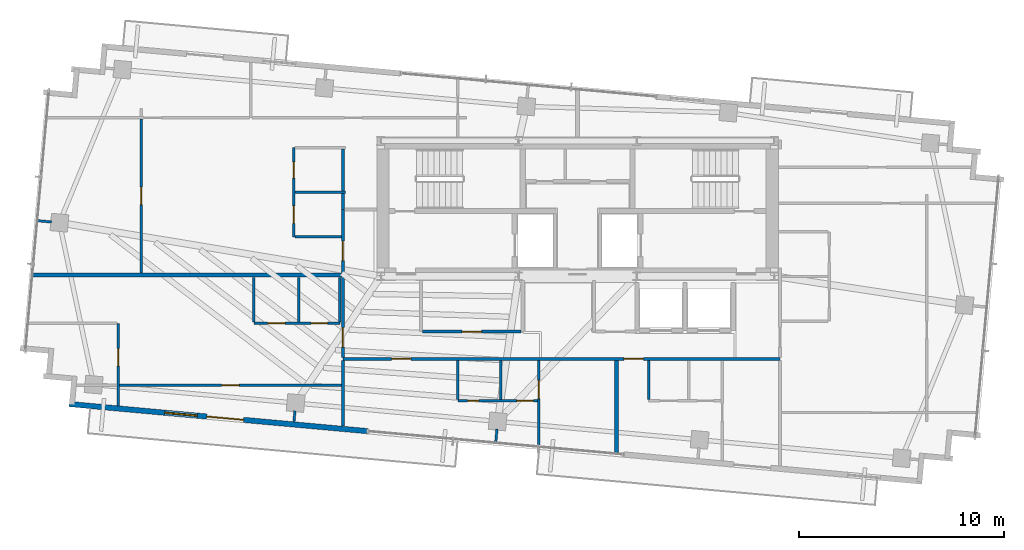
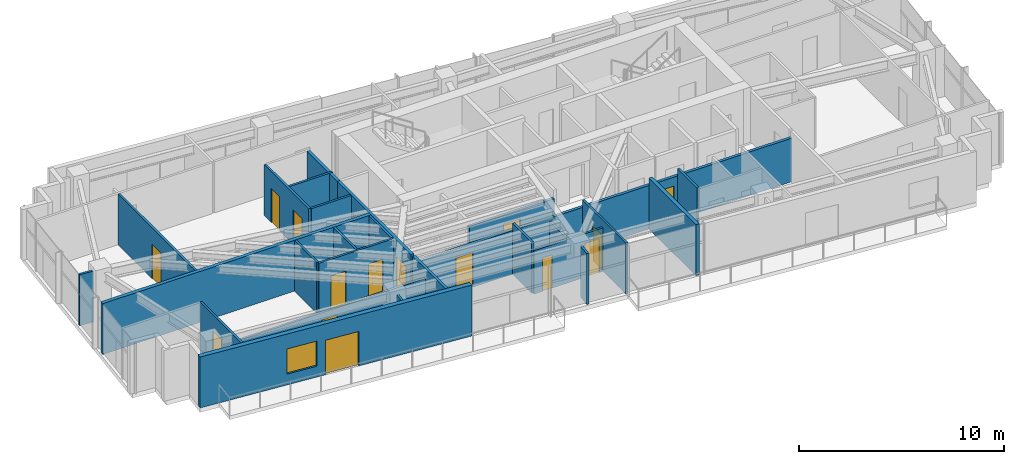
# One storey, part 16 of 22: 27 walls, 16 doors, 1 window, 17 openings.
"""IFC4 building model written with IfcOpenShell, lengths in metres."""

from ifc_helpers import new_model, si_unit, direction, frame, frame_2d, origin, place, context, subcontext, project, spatial, rectangle, extrude, source, transform, mapped, material, layer, layer_set, type_object, type_shapes, element, fill, save


model = new_model("IFC4")

# Units and contexts
model_context = context("Model", 3, precision=1e-05, world=origin(), true_north=direction((0.0, 1.0)))
body_context = subcontext(model_context, "Body", "Model", "MODEL_VIEW")
ifc_project = project(units=[si_unit("LENGTHUNIT", "METRE"), si_unit("AREAUNIT", "SQUARE_METRE"), si_unit("VOLUMEUNIT", "CUBIC_METRE"), si_unit("PLANEANGLEUNIT", "RADIAN"), si_unit("MASSUNIT", "GRAM", prefix="KILO")], contexts=[model_context])

# Site, building, storey
site_placement = place(None, origin())
site = spatial("IfcSite", under=ifc_project, at=site_placement, CompositionType="ELEMENT")
building_placement = place(site_placement, origin())
building = spatial("IfcBuilding", under=site, at=building_placement, Name="Astriad Promenade Condominiums", CompositionType="ELEMENT")
storey_placement = place(building_placement, frame((0.0, 0.0, 223.199951171875)))
storey = spatial("IfcBuildingStorey", under=building, at=storey_placement, Name="L64", CompositionType="ELEMENT", Elevation=223.199951171875)

# Wall, openings, doors
ifc_material_1 = material(Name="Fire-Rated Gypsum Partition")
ifc_layer_1 = layer(ifc_material_1, 0.159912109375)
ifc_layer_set_1 = layer_set([ifc_layer_1], Name="Fire-Rated Gypsum Partition")
wall_type_1 = type_object("IfcWallType", Name="WALL-CORR-160", PredefinedType="PARTITIONING", material=ifc_layer_set_1)
wall_1_placement = place(storey_placement, frame((24.550048828125, 13.360107421875, 0.0), z_axis=(0.0, 0.0, 1.0), x_axis=(1.0, 0.0, 0.0)))
wall_1 = element("IfcWall", 1, at=wall_1_placement, inside=storey, type_object=wall_type_1, Name="PT-COR-S-L64", PredefinedType="PARTITIONING", context=body_context, shape_type="SweptSolid", body=[
    extrude(rectangle(XDim=21.329833984375, YDim=0.159912109375, at=frame_2d((10.6650390625, 0.0))), origin(), (0.0, 0.0, 1.0), 2.596435546875),
])
opening_1_placement = place(wall_1_placement, frame((2.3701171875, 0.0, 0.0)))
opening_1 = element("IfcOpeningElement", 2, at=opening_1_placement, cuts=wall_1, Name="Opening FD60-APT-095", PredefinedType="OPENING", context=body_context, shape_type="SweptSolid", body=[
    extrude(rectangle(XDim=0.949951171875, YDim=2.06005859375, at=frame_2d((0.47509765625, 1.030029296875))), frame((0.0, 0.08984375, 0.0), z_axis=(0.0, -1.0, 0.0), x_axis=(1.0, 0.0, 0.0)), (0.0, 0.0, 1.0), 0.179931640625),
])
opening_2_placement = place(wall_1_placement, frame((13.70703125, 0.0, 0.0)))
opening_2 = element("IfcOpeningElement", 3, at=opening_2_placement, cuts=wall_1, Name="Opening FD60-APT-095", PredefinedType="OPENING", context=body_context, shape_type="SweptSolid", body=[
    extrude(rectangle(XDim=0.949951171875, YDim=2.06005859375, at=frame_2d((0.47509765625, 1.030029296875))), frame((0.0, 0.08984375, 0.0), z_axis=(0.0, -1.0, 0.0), x_axis=(1.0, 0.0, 0.0)), (0.0, 0.0, 1.0), 0.179931640625),
])
ifc_material_2 = material(Name="Solid-Core Acoustic Timber Residence Entry Door", Category="wood")
door_type_1 = type_object("IfcDoorType", Name="FD60-APT-095", OperationType="NOTDEFINED", PredefinedType="DOOR", material=ifc_material_2)
shared_shape_1 = source(origin(), body_context, "Body", "SweptSolid", [
    extrude(rectangle(XDim=0.949951171875, YDim=2.06005859375, at=frame_2d((0.47509765625, 1.030029296875))), frame((0.0, 0.02490234375, 0.0), z_axis=(0.0, -1.0, 0.0), x_axis=(1.0, 0.0, 0.0)), (0.0, 0.0, 1.0), 0.050048828125),
])
type_shapes(door_type_1, [shared_shape_1])
door_1_placement = place(opening_1_placement, origin())
door_1 = element("IfcDoor", 4, at=door_1_placement, inside=storey, type_object=door_type_1, Name="D-ENT-L64-S1", OperationType="SINGLE_SWING_RIGHT", OverallHeight=2.06005859375, OverallWidth=0.949951171875, PredefinedType="DOOR", context=body_context, shape_type="MappedRepresentation", body=[
    mapped(shared_shape_1, transform((0.0, 0.0, 0.0), scale=1.0)),
])
fill(opening_1, door_1)
door_2_placement = place(opening_2_placement, origin())
door_2 = element("IfcDoor", 5, at=door_2_placement, inside=storey, type_object=door_type_1, Name="D-ENT-L64-S2", OperationType="SINGLE_SWING_RIGHT", OverallHeight=2.06005859375, OverallWidth=0.949951171875, PredefinedType="DOOR", context=body_context, shape_type="MappedRepresentation", body=[
    mapped(shared_shape_1, transform((0.0, 0.0, 0.0), scale=1.0)),
])
fill(opening_2, door_2)

# Wall
wall_2_placement = place(storey_placement, frame((24.550048828125, 10.0771484375, 0.0), z_axis=(0.0, 0.0, 1.0), x_axis=(0.0, 1.0, 0.0)))
element("IfcWall", 6, at=wall_2_placement, inside=storey, type_object=wall_type_1, Name="PT-COR-W-L64", PredefinedType="PARTITIONING", context=body_context, shape_type="SweptSolid", body=[
    extrude(rectangle(XDim=3.200927734375, YDim=0.159912109375, at=frame_2d((1.6005859375, 0.0))), origin(), (0.0, 0.0, 1.0), 3.0400390625),
])

# Wall, openings, doors
wall_3_placement = place(storey_placement, frame((24.550048828125, 13.44189453125, 0.0), z_axis=(0.0, 0.0, 1.0), x_axis=(0.0, 1.0, 0.0)))
wall_3 = element("IfcWall", 7, at=wall_3_placement, inside=storey, type_object=wall_type_1, Name="PT-COR-W-L64-S2", PredefinedType="PARTITIONING", context=body_context, shape_type="SweptSolid", body=[
    extrude(rectangle(XDim=7.2080078125, YDim=0.159912109375, at=frame_2d((3.60400390625, 0.0))), origin(), (0.0, 0.0, 1.0), 3.0400390625),
])
opening_3_placement = place(wall_3_placement, frame((0.492919921875, 0.0, 0.0)))
opening_3 = element("IfcOpeningElement", 8, at=opening_3_placement, cuts=wall_3, Name="Opening FD60-APT-095", PredefinedType="OPENING", context=body_context, shape_type="SweptSolid", body=[
    extrude(rectangle(XDim=0.949951171875, YDim=2.06005859375, at=frame_2d((0.47509765625, 1.030029296875))), frame((0.0, 0.08984375, 0.0), z_axis=(0.0, -1.0, 0.0), x_axis=(1.0, 0.0, 0.0)), (0.0, 0.0, 1.0), 0.179931640625),
])
opening_4_placement = place(wall_3_placement, frame((4.720947265625, 0.0, 0.0)))
opening_4 = element("IfcOpeningElement", 9, at=opening_4_placement, cuts=wall_3, Name="Opening FD60-APT-095", PredefinedType="OPENING", context=body_context, shape_type="SweptSolid", body=[
    extrude(rectangle(XDim=0.949951171875, YDim=2.06005859375, at=frame_2d((0.47509765625, 1.030029296875))), frame((0.0, 0.08984375, 0.0), z_axis=(0.0, -1.0, 0.0), x_axis=(1.0, 0.0, 0.0)), (0.0, 0.0, 1.0), 0.179931640625),
])
door_3_placement = place(opening_3_placement, origin())
door_3 = element("IfcDoor", 10, at=door_3_placement, inside=storey, type_object=door_type_1, Name="D-ENT-L64-W1", OperationType="SINGLE_SWING_RIGHT", OverallHeight=2.06005859375, OverallWidth=0.949951171875, PredefinedType="DOOR", context=body_context, shape_type="MappedRepresentation", body=[
    mapped(shared_shape_1, transform((0.0, 0.0, 0.0), scale=1.0)),
])
fill(opening_3, door_3)
door_4_placement = place(opening_4_placement, origin())
door_4 = element("IfcDoor", 11, at=door_4_placement, inside=storey, type_object=door_type_1, Name="D-ENT-L64-W2", OperationType="SINGLE_SWING_LEFT", OverallHeight=2.06005859375, OverallWidth=0.949951171875, PredefinedType="DOOR", context=body_context, shape_type="MappedRepresentation", body=[
    mapped(shared_shape_1, transform((0.0, 0.0, 0.0), scale=1.0)),
])
fill(opening_4, door_4)

# Walls
wall_4_placement = place(storey_placement, frame((24.550048828125, 20.64990234375, 0.0), z_axis=(0.0, 0.0, 1.0), x_axis=(0.0, 1.0, 0.0)))
element("IfcWall", 12, at=wall_4_placement, inside=storey, type_object=wall_type_1, Name="PT-L64-W2-PBK", PredefinedType="PARTITIONING", context=body_context, shape_type="SweptSolid", body=[
    extrude(rectangle(XDim=0.783203125, YDim=0.159912109375, at=frame_2d((0.3916015625, 0.0))), origin(), (0.0, 0.0, 1.0), 3.0400390625),
])
wall_5_placement = place(storey_placement, frame((24.550048828125, 21.556884765625, 0.0), z_axis=(0.0, 0.0, 1.0), x_axis=(0.0, 1.0, 0.0)))
element("IfcWall", 13, at=wall_5_placement, inside=storey, type_object=wall_type_1, Name="PT-L64-W2-PBK-S2", PredefinedType="PARTITIONING", context=body_context, shape_type="SweptSolid", body=[
    extrude(rectangle(XDim=2.051025390625, YDim=0.159912109375, at=frame_2d((1.025390625, 0.0))), origin(), (0.0, 0.0, 1.0), 3.0400390625),
])

# Wall, opening, door
wall_6_placement = place(storey_placement, frame((28.44189453125, 14.699951171875, 0.0), z_axis=(0.0, 0.0, 1.0), x_axis=(1.0, 0.0, 0.0)))
wall_6 = element("IfcWall", 14, at=wall_6_placement, inside=storey, type_object=wall_type_1, Name="PT-Z3REC-S-L64", PredefinedType="PARTITIONING", context=body_context, shape_type="SweptSolid", body=[
    extrude(rectangle(XDim=4.796142578125, YDim=0.159912109375, at=frame_2d((2.39794921875, 0.0))), origin(), (0.0, 0.0, 1.0), 2.596435546875),
])
opening_5_placement = place(wall_6_placement, frame((1.923095703125, 0.0, 0.0)))
opening_5 = element("IfcOpeningElement", 15, at=opening_5_placement, cuts=wall_6, Name="Opening FD60-APT-095", PredefinedType="OPENING", context=body_context, shape_type="SweptSolid", body=[
    extrude(rectangle(XDim=0.949951171875, YDim=2.06005859375, at=frame_2d((0.47509765625, 1.030029296875))), frame((0.0, 0.08984375, 0.0), z_axis=(0.0, -1.0, 0.0), x_axis=(1.0, 0.0, 0.0)), (0.0, 0.0, 1.0), 0.179931640625),
])
door_5_placement = place(opening_5_placement, origin())
door_5 = element("IfcDoor", 16, at=door_5_placement, inside=storey, type_object=door_type_1, Name="D-Z3R-L64", OperationType="SINGLE_SWING_LEFT", OverallHeight=2.06005859375, OverallWidth=0.949951171875, PredefinedType="DOOR", context=body_context, shape_type="MappedRepresentation", body=[
    mapped(shared_shape_1, transform((0.0, 0.0, 0.0), scale=1.0)),
])
fill(opening_5, door_5)

# Walls
ifc_material_3 = material(Name="Acoustic Double-Stud Gypsum Partition")
ifc_layer_2 = layer(ifc_material_3, 0.199951171875)
ifc_layer_set_2 = layer_set([ifc_layer_2], Name="Acoustic Double-Stud Gypsum Partition")
wall_type_2 = type_object("IfcWallType", Name="WALL-DEMISING-200", PredefinedType="PARTITIONING", material=ifc_layer_set_2)
wall_7_placement = place(storey_placement, frame((37.89501953125, 8.6796875, 0.0), z_axis=(0.0, 0.0, 1.0), x_axis=(0.0, 1.0, 0.0)))
element("IfcWall", 17, at=wall_7_placement, inside=storey, type_object=wall_type_2, Name="PT-DEM-S1-L64", PredefinedType="PARTITIONING", context=body_context, shape_type="SweptSolid", body=[
    extrude(rectangle(XDim=4.598388671875, YDim=0.199951171875, at=frame_2d((2.29931640625, 0.0))), origin(), (0.0, 0.0, 1.0), 3.0400390625),
])
wall_8_placement = place(storey_placement, frame((9.33349609375, 17.449951171875, 0.0), z_axis=(0.0, 0.0, 1.0), x_axis=(1.0, 0.0, 0.0)))
element("IfcWall", 18, at=wall_8_placement, inside=storey, type_object=wall_type_2, Name="PT-DEM-WW-L64", PredefinedType="PARTITIONING", context=body_context, shape_type="SweptSolid", body=[
    extrude(rectangle(XDim=15.134521484375, YDim=0.199951171875, at=frame_2d((7.5673828125, 0.0))), origin(), (0.0, 0.0, 1.0), 3.0400390625),
])

# Wall, openings, door, window
ifc_material_4 = material(Name="Precast concrete C50/60", Category="concrete")
ifc_layer_3 = layer(ifc_material_4, 0.260009765625)
ifc_layer_set_3 = layer_set([ifc_layer_3], Name="Precast concrete C50/60")
wall_type_3 = type_object("IfcWallType", Name="WALL-EXT-TWR-260", PredefinedType="STANDARD", material=ifc_layer_set_3)
wall_9_placement = place(storey_placement, frame((25.760986328125, 9.83447265625, 0.0), z_axis=(0.0, 0.0, 1.0), x_axis=(-0.995884584572, 0.090630536861, 0.0)))
wall_9 = element("IfcWall", 19, at=wall_9_placement, inside=storey, type_object=wall_type_3, Name="W-EXT-L64-S2", PredefinedType="STANDARD", context=body_context, shape_type="SweptSolid", body=[
    extrude(rectangle(XDim=14.630126953125, YDim=0.260009765625, at=frame_2d((7.31494140625, 0.0))), origin(), (0.0, 0.0, 1.0), 3.0400390625),
])
opening_6_placement = place(wall_9_placement, frame((6.090087890625, 0.0, 0.0)))
opening_6 = element("IfcOpeningElement", 20, at=opening_6_placement, cuts=wall_9, Name="Opening BD-1822-SLD", PredefinedType="OPENING", context=body_context, shape_type="SweptSolid", body=[
    extrude(rectangle(XDim=1.800048828125, YDim=2.06005859375, at=frame_2d((0.89990234375, 1.030029296875))), frame((0.0, 0.139892578125, 0.0), z_axis=(0.0, -1.0, 0.0), x_axis=(1.0, 0.0, 0.0)), (0.0, 0.0, 1.0), 0.280029296875),
])
opening_7_placement = place(wall_9_placement, frame((8.35009765625, 0.0, 0.64990234375)))
opening_7 = element("IfcOpeningElement", 21, at=opening_7_placement, cuts=wall_9, Name="Opening WIN-TWR-1620", PredefinedType="OPENING", context=body_context, shape_type="SweptSolid", body=[
    extrude(rectangle(XDim=1.60009765625, YDim=1.5, at=frame_2d((0.800048828125, 0.75))), frame((0.0, 0.139892578125, 0.0), z_axis=(0.0, -1.0, 0.0), x_axis=(1.0, 0.0, 0.0)), (0.0, 0.0, 1.0), 0.280029296875),
])
ifc_material_5 = material(Name="Thermally Broken Aluminium Sliding Balcony Door", Category="aluminium")
door_type_2 = type_object("IfcDoorType", Name="BD-1822-SLD", OperationType="NOTDEFINED", PredefinedType="DOOR", material=ifc_material_5)
shared_shape_2 = source(origin(), body_context, "Body", "SweptSolid", [
    extrude(rectangle(XDim=1.800048828125, YDim=2.06005859375, at=frame_2d((0.89990234375, 1.030029296875))), frame((0.0, 0.02490234375, 0.0), z_axis=(0.0, -1.0, 0.0), x_axis=(1.0, 0.0, 0.0)), (0.0, 0.0, 1.0), 0.050048828125),
])
type_shapes(door_type_2, [shared_shape_2])
door_6_placement = place(opening_6_placement, origin())
door_6 = element("IfcDoor", 22, at=door_6_placement, inside=storey, type_object=door_type_2, Name="BD-L64-SW", OperationType="SLIDING_TO_LEFT", OverallHeight=2.06005859375, OverallWidth=1.800048828125, PredefinedType="DOOR", context=body_context, shape_type="MappedRepresentation", body=[
    mapped(shared_shape_2, transform((0.0, 0.0, 0.0), scale=1.0)),
])
fill(opening_6, door_6)
ifc_material_6 = material(Name="Dark Tinted Triple-Glazed Aluminium Window", Category="aluminium")
window_type = type_object("IfcWindowType", Name="WIN-TWR-1620", PartitioningType="SINGLE_PANEL", PredefinedType="WINDOW", material=ifc_material_6)
shared_shape_3 = source(origin(), body_context, "Body", "SweptSolid", [
    extrude(rectangle(XDim=1.60009765625, YDim=1.5, at=frame_2d((0.800048828125, 0.75))), frame((0.0, 0.030029296875, 0.0), z_axis=(0.0, -1.0, 0.0), x_axis=(1.0, 0.0, 0.0)), (0.0, 0.0, 1.0), 0.06005859375),
])
type_shapes(window_type, [shared_shape_3])
window_placement = place(opening_7_placement, origin())
window = element("IfcWindow", 23, at=window_placement, inside=storey, type_object=window_type, Name="WIN-L64-SW", OverallHeight=1.5, OverallWidth=1.60009765625, PartitioningType="SINGLE_PANEL", PredefinedType="WINDOW", context=body_context, shape_type="MappedRepresentation", body=[
    mapped(shared_shape_3, transform((0.0, 0.0, 0.0), scale=1.0)),
])
fill(opening_7, window)

# Wall, opening, door
ifc_material_7 = material(Name="Acoustic Metal-Stud Gypsum Partition")
ifc_layer_4 = layer(ifc_material_7, 0.1201171875)
ifc_layer_set_4 = layer_set([ifc_layer_4], Name="Acoustic Metal-Stud Gypsum Partition")
wall_type_4 = type_object("IfcWallType", Name="WALL-PART-120", PredefinedType="PARTITIONING", material=ifc_layer_set_4)
wall_10_placement = place(storey_placement, frame((34.10888671875, 9.0244140625, 0.0), z_axis=(0.0, 0.0, 1.0), x_axis=(0.0, 1.0, 0.0)))
wall_10 = element("IfcWall", 24, at=wall_10_placement, inside=storey, type_object=wall_type_4, Name="PT-L64-S1-BD1", PredefinedType="PARTITIONING", context=body_context, shape_type="SweptSolid", body=[
    extrude(rectangle(XDim=4.253662109375, YDim=0.1201171875, at=frame_2d((2.126953125, 0.0))), origin(), (0.0, 0.0, 1.0), 3.0400390625),
])
opening_8_placement = place(wall_10_placement, frame((2.39453125, 0.0, 0.0)))
opening_8 = element("IfcOpeningElement", 25, at=opening_8_placement, cuts=wall_10, Name="Opening D-INT-090", PredefinedType="OPENING", context=body_context, shape_type="SweptSolid", body=[
    extrude(rectangle(XDim=0.89990234375, YDim=2.050048828125, at=frame_2d((0.449951171875, 1.02490234375))), frame((0.0, 0.070068359375, 0.0), z_axis=(0.0, -1.0, 0.0), x_axis=(1.0, 0.0, 0.0)), (0.0, 0.0, 1.0), 0.14013671875),
])
ifc_material_8 = material(Name="Painted Solid-Core Timber Bedroom Door", Category="wood")
door_type_3 = type_object("IfcDoorType", Name="D-INT-090", OperationType="NOTDEFINED", PredefinedType="DOOR", material=ifc_material_8)
shared_shape_4 = source(origin(), body_context, "Body", "SweptSolid", [
    extrude(rectangle(XDim=0.89990234375, YDim=2.050048828125, at=frame_2d((0.449951171875, 1.02490234375))), frame((0.0, 0.02490234375, 0.0), z_axis=(0.0, -1.0, 0.0), x_axis=(1.0, 0.0, 0.0)), (0.0, 0.0, 1.0), 0.050048828125),
])
type_shapes(door_type_3, [shared_shape_4])
door_7_placement = place(opening_8_placement, origin())
door_7 = element("IfcDoor", 26, at=door_7_placement, inside=storey, type_object=door_type_3, Name="D-BD1-L64-S1", OperationType="SINGLE_SWING_LEFT", OverallHeight=2.050048828125, OverallWidth=0.89990234375, PredefinedType="DOOR", context=body_context, shape_type="MappedRepresentation", body=[
    mapped(shared_shape_4, transform((0.0, 0.0, 0.0), scale=1.0)),
])
fill(opening_8, door_7)

# Wall, openings, doors
wall_11_placement = place(storey_placement, frame((30.158935546875, 11.3310546875, 0.0), z_axis=(0.0, 0.0, 1.0), x_axis=(1.0, 0.0, 0.0)))
wall_11 = element("IfcWall", 27, at=wall_11_placement, inside=storey, type_object=wall_type_4, Name="PT-L64-S1-PS", PredefinedType="PARTITIONING", context=body_context, shape_type="SweptSolid", body=[
    extrude(rectangle(XDim=3.88818359375, YDim=0.1201171875, at=frame_2d((1.944091796875, 0.0))), origin(), (0.0, 0.0, 1.0), 2.596435546875),
])
opening_9_placement = place(wall_11_placement, frame((0.47509765625, 0.0, 0.0)))
opening_9 = element("IfcOpeningElement", 28, at=opening_9_placement, cuts=wall_11, Name="Opening D-AC-055", PredefinedType="OPENING", context=body_context, shape_type="SweptSolid", body=[
    extrude(rectangle(XDim=0.550048828125, YDim=2.0, at=frame_2d((0.27490234375, 1.0))), frame((0.0, 0.070068359375, 0.0), z_axis=(0.0, -1.0, 0.0), x_axis=(1.0, 0.0, 0.0)), (0.0, 0.0, 1.0), 0.14013671875),
])
opening_10_placement = place(wall_11_placement, frame((2.885009765625, 0.0, 0.0)))
opening_10 = element("IfcOpeningElement", 29, at=opening_10_placement, cuts=wall_11, Name="Opening D-WET-080", PredefinedType="OPENING", context=body_context, shape_type="SweptSolid", body=[
    extrude(rectangle(XDim=0.800048828125, YDim=2.02001953125, at=frame_2d((0.39990234375, 1.010009765625))), frame((0.0, 0.070068359375, 0.0), z_axis=(0.0, -1.0, 0.0), x_axis=(1.0, 0.0, 0.0)), (0.0, 0.0, 1.0), 0.14013671875),
])
ifc_material_9 = material(Name="Moisture-Resistant Timber Bathroom Door", Category="wood")
door_type_4 = type_object("IfcDoorType", Name="D-WET-080", OperationType="NOTDEFINED", PredefinedType="DOOR", material=ifc_material_9)
shared_shape_5 = source(origin(), body_context, "Body", "SweptSolid", [
    extrude(rectangle(XDim=0.800048828125, YDim=2.02001953125, at=frame_2d((0.39990234375, 1.010009765625))), frame((0.0, 0.02490234375, 0.0), z_axis=(0.0, -1.0, 0.0), x_axis=(1.0, 0.0, 0.0)), (0.0, 0.0, 1.0), 0.050048828125),
])
type_shapes(door_type_4, [shared_shape_5])
door_8_placement = place(opening_10_placement, origin())
door_8 = element("IfcDoor", 30, at=door_8_placement, inside=storey, type_object=door_type_4, Name="D-BTH-L64-S1", OperationType="SINGLE_SWING_LEFT", OverallHeight=2.02001953125, OverallWidth=0.800048828125, PredefinedType="DOOR", context=body_context, shape_type="MappedRepresentation", body=[
    mapped(shared_shape_5, transform((0.0, 0.0, 0.0), scale=1.0)),
])
fill(opening_10, door_8)
ifc_material_10 = material(Name="Painted Timber Access Door", Category="wood")
door_type_5 = type_object("IfcDoorType", Name="D-AC-055", OperationType="NOTDEFINED", PredefinedType="DOOR", material=ifc_material_10)
shared_shape_6 = source(origin(), body_context, "Body", "SweptSolid", [
    extrude(rectangle(XDim=0.550048828125, YDim=2.0, at=frame_2d((0.27490234375, 1.0))), frame((0.0, 0.02490234375, 0.0), z_axis=(0.0, -1.0, 0.0), x_axis=(1.0, 0.0, 0.0)), (0.0, 0.0, 1.0), 0.050048828125),
])
type_shapes(door_type_5, [shared_shape_6])
door_9_placement = place(opening_9_placement, origin())
door_9 = element("IfcDoor", 31, at=door_9_placement, inside=storey, type_object=door_type_5, Name="D-KIT-L64-S1", OperationType="SINGLE_SWING_RIGHT", OverallHeight=2.0, OverallWidth=0.550048828125, PredefinedType="DOOR", context=body_context, shape_type="MappedRepresentation", body=[
    mapped(shared_shape_6, transform((0.0, 0.0, 0.0), scale=1.0)),
])
fill(opening_9, door_9)

# Walls
wall_12_placement = place(storey_placement, frame((32.259033203125, 11.39306640625, 0.0), z_axis=(0.0, 0.0, 1.0), x_axis=(0.0, 1.0, 0.0)))
element("IfcWall", 32, at=wall_12_placement, inside=storey, type_object=wall_type_4, Name="PT-L64-S1-PBK", PredefinedType="PARTITIONING", context=body_context, shape_type="SweptSolid", body=[
    extrude(rectangle(XDim=1.885009765625, YDim=0.1201171875, at=frame_2d((0.9423828125, 0.0))), origin(), (0.0, 0.0, 1.0), 2.400146484375),
])
wall_13_placement = place(storey_placement, frame((30.158935546875, 11.39306640625, 0.0), z_axis=(0.0, 0.0, 1.0), x_axis=(0.0, 1.0, 0.0)))
element("IfcWall", 33, at=wall_13_placement, inside=storey, type_object=wall_type_4, Name="PT-L64-S1-PKW", PredefinedType="PARTITIONING", context=body_context, shape_type="SweptSolid", body=[
    extrude(rectangle(XDim=1.885009765625, YDim=0.1201171875, at=frame_2d((0.9423828125, 0.0))), origin(), (0.0, 0.0, 1.0), 3.0400390625),
])
wall_14_placement = place(storey_placement, frame((39.468017578125, 11.3720703125, 0.0), z_axis=(0.0, 0.0, 1.0), x_axis=(0.0, 1.0, 0.0)))
element("IfcWall", 34, at=wall_14_placement, inside=storey, type_object=wall_type_4, Name="PT-L64-S2-PK", PredefinedType="PARTITIONING", context=body_context, shape_type="SweptSolid", body=[
    extrude(rectangle(XDim=1.906005859375, YDim=0.1201171875, at=frame_2d((0.953125, 0.0))), origin(), (0.0, 0.0, 1.0), 3.0400390625),
])

# Wall, openings, doors
wall_15_placement = place(storey_placement, frame((20.199951171875, 15.10009765625, 0.0), z_axis=(0.0, 0.0, 1.0), x_axis=(1.0, 0.0, 0.0)))
wall_15 = element("IfcWall", 35, at=wall_15_placement, inside=storey, type_object=wall_type_4, Name="PT-L64-W1-PH", PredefinedType="PARTITIONING", context=body_context, shape_type="SweptSolid", body=[
    extrude(rectangle(XDim=4.199951171875, YDim=0.1201171875, at=frame_2d((2.10009765625, 0.0))), origin(), (0.0, 0.0, 1.0), 3.0400390625),
])
opening_11_placement = place(wall_15_placement, frame((0.675048828125, 0.0, 0.0)))
opening_11 = element("IfcOpeningElement", 36, at=opening_11_placement, cuts=wall_15, Name="Opening D-INT-085", PredefinedType="OPENING", context=body_context, shape_type="SweptSolid", body=[
    extrude(rectangle(XDim=0.85009765625, YDim=2.050048828125, at=frame_2d((0.425048828125, 1.02490234375))), frame((0.0, 0.070068359375, 0.0), z_axis=(0.0, -1.0, 0.0), x_axis=(1.0, 0.0, 0.0)), (0.0, 0.0, 1.0), 0.14013671875),
])
opening_12_placement = place(wall_15_placement, frame((2.800048828125, 0.0, 0.0)))
opening_12 = element("IfcOpeningElement", 37, at=opening_12_placement, cuts=wall_15, Name="Opening D-WET-080", PredefinedType="OPENING", context=body_context, shape_type="SweptSolid", body=[
    extrude(rectangle(XDim=0.800048828125, YDim=2.02001953125, at=frame_2d((0.39990234375, 1.010009765625))), frame((0.0, 0.070068359375, 0.0), z_axis=(0.0, -1.0, 0.0), x_axis=(1.0, 0.0, 0.0)), (0.0, 0.0, 1.0), 0.14013671875),
])
door_10_placement = place(opening_12_placement, origin())
door_10 = element("IfcDoor", 38, at=door_10_placement, inside=storey, type_object=door_type_4, Name="D-BTH-L64-W1", OperationType="SINGLE_SWING_RIGHT", OverallHeight=2.02001953125, OverallWidth=0.800048828125, PredefinedType="DOOR", context=body_context, shape_type="MappedRepresentation", body=[
    mapped(shared_shape_5, transform((0.0, 0.0, 0.0), scale=1.0)),
])
fill(opening_12, door_10)
ifc_material_11 = material(Name="Painted Solid-Core Timber Room Door", Category="wood")
door_type_6 = type_object("IfcDoorType", Name="D-INT-085", OperationType="NOTDEFINED", PredefinedType="DOOR", material=ifc_material_11)
shared_shape_7 = source(origin(), body_context, "Body", "SweptSolid", [
    extrude(rectangle(XDim=0.85009765625, YDim=2.050048828125, at=frame_2d((0.425048828125, 1.02490234375))), frame((0.0, 0.02490234375, 0.0), z_axis=(0.0, -1.0, 0.0), x_axis=(1.0, 0.0, 0.0)), (0.0, 0.0, 1.0), 0.050048828125),
])
type_shapes(door_type_6, [shared_shape_7])
door_11_placement = place(opening_11_placement, origin())
door_11 = element("IfcDoor", 39, at=door_11_placement, inside=storey, type_object=door_type_6, Name="D-KIT-L64-W1", OperationType="SINGLE_SWING_LEFT", OverallHeight=2.050048828125, OverallWidth=0.85009765625, PredefinedType="DOOR", context=body_context, shape_type="MappedRepresentation", body=[
    mapped(shared_shape_7, transform((0.0, 0.0, 0.0), scale=1.0)),
])
fill(opening_11, door_11)

# Walls
for number, where, z_axis, x_axis, name in (
    (40, (20.199951171875, 15.162109375, 0.0), (0.0, 0.0, 1.0), (0.0, 1.0, 0.0), "PT-L64-W1-PK1"),
    (41, (22.39990234375, 15.162109375, 0.0), (0.0, 0.0, 1.0), (0.0, 1.0, 0.0), "PT-L64-W1-PK2"),
    (42, (24.39990234375, 15.162109375, 0.0), (0.0, 0.0, 1.0), (0.0, 1.0, 0.0), "PT-L64-W1-PK3"),
):
    element("IfcWall", number, at=place(storey_placement, frame(where, z_axis=z_axis, x_axis=x_axis)), inside=storey, type_object=wall_type_4, Name=name, PredefinedType="PARTITIONING", context=body_context, shape_type="SweptSolid", body=[
        extrude(rectangle(XDim=2.185791015625, YDim=0.1201171875, at=frame_2d((1.0927734375, 0.0))), origin(), (0.0, 0.0, 1.0), 3.0400390625),
    ])

# Wall, opening, door
wall_16_placement = place(storey_placement, frame((13.5810546875, 11.075439453125, 0.0), z_axis=(0.0, 0.0, 1.0), x_axis=(0.0, 1.0, 0.0)))
wall_16 = element("IfcWall", 43, at=wall_16_placement, inside=storey, type_object=wall_type_4, Name="PT-L64-W1-CAP1", PredefinedType="PARTITIONING", context=body_context, shape_type="SweptSolid", body=[
    extrude(rectangle(XDim=4.024658203125, YDim=0.1201171875, at=frame_2d((2.01220703125, 0.0))), origin(), (0.0, 0.0, 1.0), 3.0400390625),
])
opening_13_placement = place(wall_16_placement, frame((1.938720703125, 0.0, 0.0)))
opening_13 = element("IfcOpeningElement", 44, at=opening_13_placement, cuts=wall_16, Name="Opening D-INT-085", PredefinedType="OPENING", context=body_context, shape_type="SweptSolid", body=[
    extrude(rectangle(XDim=0.85009765625, YDim=2.050048828125, at=frame_2d((0.425048828125, 1.02490234375))), frame((0.0, 0.070068359375, 0.0), z_axis=(0.0, -1.0, 0.0), x_axis=(1.0, 0.0, 0.0)), (0.0, 0.0, 1.0), 0.14013671875),
])
door_12_placement = place(opening_13_placement, origin())
door_12 = element("IfcDoor", 45, at=door_12_placement, inside=storey, type_object=door_type_6, Name="D-CAP1-L64-W1", OperationType="SINGLE_SWING_LEFT", OverallHeight=2.050048828125, OverallWidth=0.85009765625, PredefinedType="DOOR", context=body_context, shape_type="MappedRepresentation", body=[
    mapped(shared_shape_7, transform((0.0, 0.0, 0.0), scale=1.0)),
])
fill(opening_13, door_12)

wall_17_placement = place(storey_placement, frame((13.64306640625, 12.072998046875, 0.0), z_axis=(0.0, 0.0, 1.0), x_axis=(1.0, 0.0, 0.0)))
wall_17 = element("IfcWall", 46, at=wall_17_placement, inside=storey, type_object=wall_type_4, Name="PT-L64-W1-CAPH2-S2", PredefinedType="PARTITIONING", context=body_context, shape_type="SweptSolid", body=[
    extrude(rectangle(XDim=10.824951171875, YDim=0.1201171875, at=frame_2d((5.41259765625, 0.0))), origin(), (0.0, 0.0, 1.0), 2.482666015625),
])
opening_14_placement = place(wall_17_placement, frame((4.988037109375, 0.0, 0.0)))
opening_14 = element("IfcOpeningElement", 47, at=opening_14_placement, cuts=wall_17, Name="Opening D-INT-085", PredefinedType="OPENING", context=body_context, shape_type="SweptSolid", body=[
    extrude(rectangle(XDim=0.85009765625, YDim=2.050048828125, at=frame_2d((0.425048828125, 1.02490234375))), frame((0.0, 0.070068359375, 0.0), z_axis=(0.0, -1.0, 0.0), x_axis=(1.0, 0.0, 0.0)), (0.0, 0.0, 1.0), 0.14013671875),
])
door_13_placement = place(opening_14_placement, origin())
door_13 = element("IfcDoor", 48, at=door_13_placement, inside=storey, type_object=door_type_6, Name="D-CAPH2-L64-W1", OperationType="SINGLE_SWING_RIGHT", OverallHeight=2.050048828125, OverallWidth=0.85009765625, PredefinedType="DOOR", context=body_context, shape_type="MappedRepresentation", body=[
    mapped(shared_shape_7, transform((0.0, 0.0, 0.0), scale=1.0)),
])
fill(opening_14, door_13)

# Wall, openings, doors
wall_18_placement = place(storey_placement, frame((22.14990234375, 19.320068359375, 0.0), z_axis=(0.0, 0.0, 1.0), x_axis=(0.0, 1.0, 0.0)))
wall_18 = element("IfcWall", 49, at=wall_18_placement, inside=storey, type_object=wall_type_4, Name="PT-L64-W2-PV", PredefinedType="PARTITIONING", context=body_context, shape_type="SweptSolid", body=[
    extrude(rectangle(XDim=4.349853515625, YDim=0.1201171875, at=frame_2d((2.1748046875, 0.0))), origin(), (0.0, 0.0, 1.0), 3.0400390625),
])
opening_15_placement = place(wall_18_placement, frame((0.662109375, 0.0, 0.0)))
opening_15 = element("IfcOpeningElement", 50, at=opening_15_placement, cuts=wall_18, Name="Opening D-INT-085", PredefinedType="OPENING", context=body_context, shape_type="SweptSolid", body=[
    extrude(rectangle(XDim=0.85009765625, YDim=2.050048828125, at=frame_2d((0.425048828125, 1.02490234375))), frame((0.0, 0.070068359375, 0.0), z_axis=(0.0, -1.0, 0.0), x_axis=(1.0, 0.0, 0.0)), (0.0, 0.0, 1.0), 0.14013671875),
])
opening_16_placement = place(wall_18_placement, frame((2.863037109375, 0.0, 0.0)))
opening_16 = element("IfcOpeningElement", 51, at=opening_16_placement, cuts=wall_18, Name="Opening D-WET-080", PredefinedType="OPENING", context=body_context, shape_type="SweptSolid", body=[
    extrude(rectangle(XDim=0.800048828125, YDim=2.02001953125, at=frame_2d((0.39990234375, 1.010009765625))), frame((0.0, 0.070068359375, 0.0), z_axis=(0.0, -1.0, 0.0), x_axis=(1.0, 0.0, 0.0)), (0.0, 0.0, 1.0), 0.14013671875),
])
door_14_placement = place(opening_16_placement, origin())
door_14 = element("IfcDoor", 52, at=door_14_placement, inside=storey, type_object=door_type_4, Name="D-BTH-L64-W2", OperationType="SINGLE_SWING_LEFT", OverallHeight=2.02001953125, OverallWidth=0.800048828125, PredefinedType="DOOR", context=body_context, shape_type="MappedRepresentation", body=[
    mapped(shared_shape_5, transform((0.0, 0.0, 0.0), scale=1.0)),
])
fill(opening_16, door_14)
door_15_placement = place(opening_15_placement, origin())
door_15 = element("IfcDoor", 53, at=door_15_placement, inside=storey, type_object=door_type_6, Name="D-KIT-L64-W2", OperationType="SINGLE_SWING_RIGHT", OverallHeight=2.050048828125, OverallWidth=0.85009765625, PredefinedType="DOOR", context=body_context, shape_type="MappedRepresentation", body=[
    mapped(shared_shape_7, transform((0.0, 0.0, 0.0), scale=1.0)),
])
fill(opening_15, door_15)

# Walls
wall_19_placement = place(storey_placement, frame((22.2119140625, 21.4951171875, 0.0), z_axis=(0.0, 0.0, 1.0), x_axis=(1.0, 0.0, 0.0)))
element("IfcWall", 54, at=wall_19_placement, inside=storey, type_object=wall_type_4, Name="PT-L64-W2-PM", PredefinedType="PARTITIONING", context=body_context, shape_type="SweptSolid", body=[
    extrude(rectangle(XDim=2.4580078125, YDim=0.1201171875, at=frame_2d((1.22900390625, 0.0))), origin(), (0.0, 0.0, 1.0), 3.0400390625),
])
wall_20_placement = place(storey_placement, frame((22.2119140625, 19.320068359375, 0.0), z_axis=(0.0, 0.0, 1.0), x_axis=(1.0, 0.0, 0.0)))
element("IfcWall", 55, at=wall_20_placement, inside=storey, type_object=wall_type_4, Name="PT-L64-W2-PS", PredefinedType="PARTITIONING", context=body_context, shape_type="SweptSolid", body=[
    extrude(rectangle(XDim=2.256103515625, YDim=0.1201171875, at=frame_2d((1.1279296875, 0.0))), origin(), (0.0, 0.0, 1.0), 3.0400390625),
])

# Wall, opening, door
wall_21_placement = place(storey_placement, frame((14.7099609375, 17.552001953125, 0.0), z_axis=(0.0, 0.0, 1.0), x_axis=(0.0, 1.0, 0.0)))
wall_21 = element("IfcWall", 56, at=wall_21_placement, inside=storey, type_object=wall_type_4, Name="PT-L64-W2-WDV1", PredefinedType="PARTITIONING", context=body_context, shape_type="SweptSolid", body=[
    extrude(rectangle(XDim=7.528076171875, YDim=0.1201171875, at=frame_2d((3.76416015625, 0.0))), origin(), (0.0, 0.0, 1.0), 3.0400390625),
])
opening_17_placement = place(wall_21_placement, frame((3.339111328125, 0.0, 0.0)))
opening_17 = element("IfcOpeningElement", 57, at=opening_17_placement, cuts=wall_21, Name="Opening D-INT-085", PredefinedType="OPENING", context=body_context, shape_type="SweptSolid", body=[
    extrude(rectangle(XDim=0.85009765625, YDim=2.050048828125, at=frame_2d((0.425048828125, 1.02490234375))), frame((0.0, 0.070068359375, 0.0), z_axis=(0.0, -1.0, 0.0), x_axis=(1.0, 0.0, 0.0)), (0.0, 0.0, 1.0), 0.14013671875),
])
door_16_placement = place(opening_17_placement, origin())
door_16 = element("IfcDoor", 58, at=door_16_placement, inside=storey, type_object=door_type_6, Name="D-WDV1-L64-W2", OperationType="SINGLE_SWING_LEFT", OverallHeight=2.050048828125, OverallWidth=0.85009765625, PredefinedType="DOOR", context=body_context, shape_type="MappedRepresentation", body=[
    mapped(shared_shape_7, transform((0.0, 0.0, 0.0), scale=1.0)),
])
fill(opening_17, door_16)

# Walls
wall_22_placement = place(storey_placement, frame((22.206787109375, 10.83056640625, 0.0), z_axis=(0.0, 0.0, 1.0), x_axis=(-0.090781299264, -0.995870852924, 0.0)))
element("IfcWall", 59, at=wall_22_placement, inside=storey, type_object=wall_type_4, Name="PT-PIL-L64-PC02-9", PredefinedType="PARTITIONING", context=body_context, shape_type="SweptSolid", body=[
    extrude(rectangle(XDim=0.537841796875, YDim=0.1201171875, at=frame_2d((0.26904296875, 0.0))), origin(), (0.0, 0.0, 1.0), 3.0400390625),
])
wall_23_placement = place(storey_placement, frame((32.06591796875, 9.933349609375, 0.0), z_axis=(0.0, 0.0, 1.0), x_axis=(-0.090872036342, -0.995862577373, 0.0)))
element("IfcWall", 60, at=wall_23_placement, inside=storey, type_object=wall_type_4, Name="PT-PIL-L64-PC03-10", PredefinedType="PARTITIONING", context=body_context, shape_type="SweptSolid", body=[
    extrude(rectangle(XDim=0.719970703125, YDim=0.1201171875, at=frame_2d((0.35986328125, 0.0))), origin(), (0.0, 0.0, 1.0), 3.0400390625),
])
wall_24_placement = place(storey_placement, frame((10.3330078125, 20.044677734375, 0.0), z_axis=(0.0, 0.0, 1.0), x_axis=(-0.995890573658, 0.09056470228, 0.0)))
element("IfcWall", 61, at=wall_24_placement, inside=storey, type_object=wall_type_4, Name="PT-PIL-L64-PC11-18", PredefinedType="PARTITIONING", context=body_context, shape_type="SweptSolid", body=[
    extrude(rectangle(XDim=0.76025390625, YDim=0.1201171875, at=frame_2d((0.380126953125, 0.0))), origin(), (0.0, 0.0, 1.0), 3.0400390625),
])

save(model, "model.ifc")
